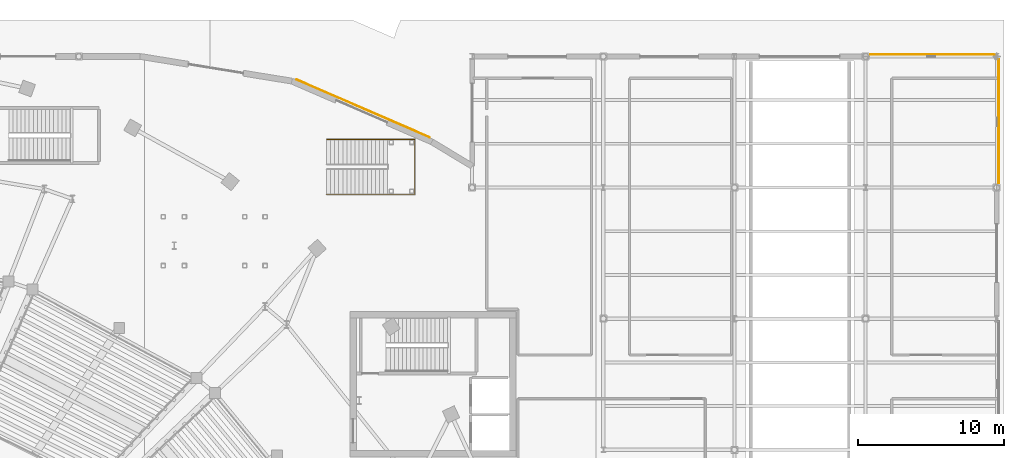
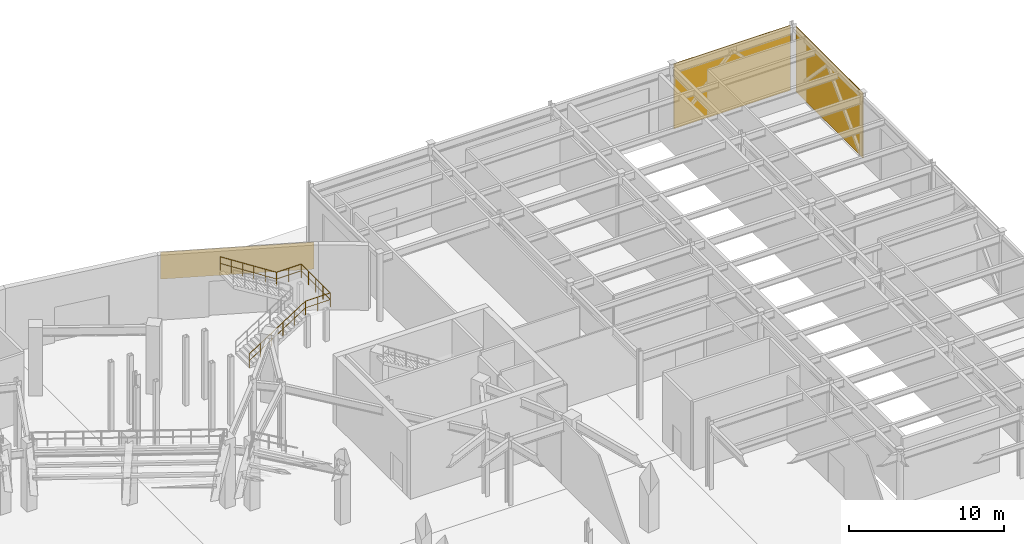
# One storey, part 79 of 79: 3 coverings, 1 railing.
"""IFC4 building model written with IfcOpenShell, lengths in metres."""

from ifc_helpers import new_model, si_unit, direction, frame, origin, origin_2d, place, context, subcontext, project, spatial, rectangle, circle, extrude, material, layer, layer_set, type_object, element, save


model = new_model("IFC4")

# Units and contexts
model_context = context("Model", 3, precision=1e-05, world=origin(), true_north=direction((0.0, 1.0)))
body_context = subcontext(model_context, "Body", "Model", "MODEL_VIEW")
ifc_project = project(units=[si_unit("LENGTHUNIT", "METRE"), si_unit("AREAUNIT", "SQUARE_METRE"), si_unit("VOLUMEUNIT", "CUBIC_METRE"), si_unit("PLANEANGLEUNIT", "RADIAN"), si_unit("MASSUNIT", "GRAM", prefix="KILO")], contexts=[model_context])

# Site, building, storey
site_placement = place(None, origin())
site = spatial("IfcSite", under=ifc_project, at=site_placement, CompositionType="ELEMENT")
building_placement = place(site_placement, origin())
building = spatial("IfcBuilding", under=site, at=building_placement, Name="Glasvene Arena", CompositionType="ELEMENT")
storey_placement = place(building_placement, origin())
storey = spatial("IfcBuildingStorey", under=building, at=storey_placement, Name="L00", CompositionType="ELEMENT", Elevation=0.0)

# Coverings
ifc_material_1 = material(Name="Coursed pale Irish limestone", Category="masonry")
ifc_layer = layer(ifc_material_1, 0.050048828125)
ifc_layer_set = layer_set([ifc_layer], Name="Coursed pale Irish limestone")
covering_type = type_object("IfcCoveringType", Name="COV-CLAD-LIM", PredefinedType="CLADDING", material=ifc_layer_set)
covering_1_placement = place(storey_placement, frame((130.513427734375, 114.4248046875, 2.949951171875), z_axis=(0.0, 0.0, 1.0), x_axis=(0.917407699357, -0.397948631308, 0.0)))
element("IfcCovering", 1, at=covering_1_placement, inside=storey, type_object=covering_type, Name="Irish limestone spandrel cladding EW-L00-0023", PredefinedType="CLADDING", context=body_context, shape_type="SweptSolid", body=[
    extrude(rectangle(XDim=9.978515625, YDim=0.050048828125, at=origin_2d()), origin(), (0.0, 0.0, 1.0), 2.1201171875),
])
covering_2_placement = place(storey_placement, frame((169.526611328125, 118.139892578125, 0.0), z_axis=(0.0, 0.0, 1.0), x_axis=(1.0, 0.0, 0.0)))
element("IfcCovering", 2, at=covering_2_placement, inside=storey, type_object=covering_type, Name="Braced bay architectural cladding screen L00-036", PredefinedType="CLADDING", context=body_context, shape_type="SweptSolid", body=[
    extrude(rectangle(XDim=8.682861328125, YDim=0.050048828125, at=origin_2d()), origin(), (0.0, 0.0, 1.0), 5.1201171875),
])
covering_3_placement = place(storey_placement, frame((174.139892578125, 113.501708984375, 0.0), z_axis=(0.0, 0.0, 1.0), x_axis=(0.0, -1.0, 0.0)))
element("IfcCovering", 3, at=covering_3_placement, inside=storey, type_object=covering_type, Name="Braced bay architectural cladding screen L00-037", PredefinedType="CLADDING", context=body_context, shape_type="SweptSolid", body=[
    extrude(rectangle(XDim=8.6328125, YDim=0.050048828125, at=origin_2d()), origin(), (0.0, 0.0, 1.0), 5.1201171875),
])

# Railing
ifc_material_2 = material(Name="Brushed stainless steel", Category="steel")
railing_type = type_object("IfcRailingType", Name="RL-GUARD-1100", PredefinedType="GUARDRAIL", material=ifc_material_2)
railing_placement = place(storey_placement, frame((128.0, 108.550048828125, 0.0)))
element("IfcRailing", 4, at=railing_placement, inside=storey, type_object=railing_type, Name="Vomitory Stair outer guard VOM-04", PredefinedType="GUARDRAIL", context=body_context, shape_type="SweptSolid", body=[
    extrude(circle(Radius=0.02392578125, at=origin_2d()), frame((0.0, 0.0, 1.076171875), z_axis=(0.841180064094, 0.0, 0.540755119968), x_axis=(0.0, 1.0, 0.0)), (0.0, 0.0, 1.0), 4.992919921875),
    extrude(circle(Radius=0.01611328125, at=origin_2d()), frame((0.0, 0.0, 0.550048828125), z_axis=(0.841180064094, 0.0, 0.540755119968), x_axis=(0.0, 1.0, 0.0)), (0.0, 0.0, 1.0), 4.992919921875),
    extrude(circle(Radius=0.02392578125, at=origin_2d()), frame((4.199951171875, 0.0, 3.77587890625), z_axis=(1.0, 0.0, 0.0), x_axis=(0.0, 1.0, 0.0)), (0.0, 0.0, 1.0), 1.85009765625),
    extrude(circle(Radius=0.01611328125, at=origin_2d()), frame((4.199951171875, 0.0, 3.25), z_axis=(1.0, 0.0, 0.0), x_axis=(0.0, 1.0, 0.0)), (0.0, 0.0, 1.0), 1.85009765625),
    extrude(circle(Radius=0.02392578125, at=origin_2d()), frame((6.050048828125, 0.0, 3.77587890625), z_axis=(0.0, 1.0, 0.0), x_axis=(-1.0, 0.0, 0.0)), (0.0, 0.0, 1.0), 3.75),
    extrude(circle(Radius=0.01611328125, at=origin_2d()), frame((6.050048828125, 0.0, 3.25), z_axis=(0.0, 1.0, 0.0), x_axis=(-1.0, 0.0, 0.0)), (0.0, 0.0, 1.0), 3.75),
    extrude(circle(Radius=0.02392578125, at=origin_2d()), frame((6.050048828125, 3.75, 3.77587890625), z_axis=(-1.0, 0.0, 0.0), x_axis=(0.0, -1.0, 0.0)), (0.0, 0.0, 1.0), 1.85009765625),
    extrude(circle(Radius=0.01611328125, at=origin_2d()), frame((6.050048828125, 3.75, 3.25), z_axis=(-1.0, 0.0, 0.0), x_axis=(0.0, -1.0, 0.0)), (0.0, 0.0, 1.0), 1.85009765625),
    extrude(circle(Radius=0.02392578125, at=origin_2d()), frame((4.199951171875, 3.75, 3.77587890625), z_axis=(-0.841180064094, 0.0, 0.540755119968), x_axis=(0.0, -1.0, 0.0)), (0.0, 0.0, 1.0), 4.992919921875),
    extrude(circle(Radius=0.01611328125, at=origin_2d()), frame((4.199951171875, 3.75, 3.25), z_axis=(-0.841180064094, 0.0, 0.540755119968), x_axis=(0.0, -1.0, 0.0)), (0.0, 0.0, 1.0), 4.992919921875),
    extrude(circle(Radius=0.02099609375, at=origin_2d()), origin(), (0.0, 0.0, 1.0), 1.052001953125),
    extrude(circle(Radius=0.02099609375, at=origin_2d()), frame((0.840087890625, 0.0, 0.5400390625)), (0.0, 0.0, 1.0), 1.052001953125),
    extrude(circle(Radius=0.02099609375, at=origin_2d()), frame((1.679931640625, 0.0, 1.080078125)), (0.0, 0.0, 1.0), 1.052001953125),
    extrude(circle(Radius=0.02099609375, at=origin_2d()), frame((2.52001953125, 0.0, 1.619873046875)), (0.0, 0.0, 1.0), 1.052001953125),
    extrude(circle(Radius=0.02099609375, at=origin_2d()), frame((3.35986328125, 0.0, 2.159912109375)), (0.0, 0.0, 1.0), 1.052001953125),
    extrude(circle(Radius=0.02099609375, at=origin_2d()), frame((4.199951171875, 0.0, 2.699951171875)), (0.0, 0.0, 1.0), 1.052001953125),
    extrude(circle(Radius=0.02099609375, at=origin_2d()), frame((5.125, 0.0, 2.699951171875)), (0.0, 0.0, 1.0), 1.052001953125),
    extrude(circle(Radius=0.02099609375, at=origin_2d()), frame((6.050048828125, 0.0, 2.699951171875)), (0.0, 0.0, 1.0), 1.052001953125),
    extrude(circle(Radius=0.02099609375, at=origin_2d()), frame((6.050048828125, 0.9375, 2.699951171875)), (0.0, 0.0, 1.0), 1.052001953125),
    extrude(circle(Radius=0.02099609375, at=origin_2d()), frame((6.050048828125, 1.875, 2.699951171875)), (0.0, 0.0, 1.0), 1.052001953125),
    extrude(circle(Radius=0.02099609375, at=origin_2d()), frame((6.050048828125, 2.8125, 2.699951171875)), (0.0, 0.0, 1.0), 1.052001953125),
    extrude(circle(Radius=0.02099609375, at=origin_2d()), frame((6.050048828125, 3.75, 2.699951171875)), (0.0, 0.0, 1.0), 1.052001953125),
    extrude(circle(Radius=0.02099609375, at=origin_2d()), frame((5.125, 3.75, 2.699951171875)), (0.0, 0.0, 1.0), 1.052001953125),
    extrude(circle(Radius=0.02099609375, at=origin_2d()), frame((4.199951171875, 3.75, 2.699951171875)), (0.0, 0.0, 1.0), 1.052001953125),
    extrude(circle(Radius=0.02099609375, at=origin_2d()), frame((3.35986328125, 3.75, 3.239990234375)), (0.0, 0.0, 1.0), 1.052001953125),
    extrude(circle(Radius=0.02099609375, at=origin_2d()), frame((2.52001953125, 3.75, 3.780029296875)), (0.0, 0.0, 1.0), 1.052001953125),
    extrude(circle(Radius=0.02099609375, at=origin_2d()), frame((1.679931640625, 3.75, 4.31982421875)), (0.0, 0.0, 1.0), 1.052001953125),
    extrude(circle(Radius=0.02099609375, at=origin_2d()), frame((0.840087890625, 3.75, 4.85986328125)), (0.0, 0.0, 1.0), 1.052001953125),
    extrude(circle(Radius=0.02099609375, at=origin_2d()), frame((0.0, 3.75, 5.39990234375)), (0.0, 0.0, 1.0), 1.052001953125),
])

save(model, "model.ifc")
